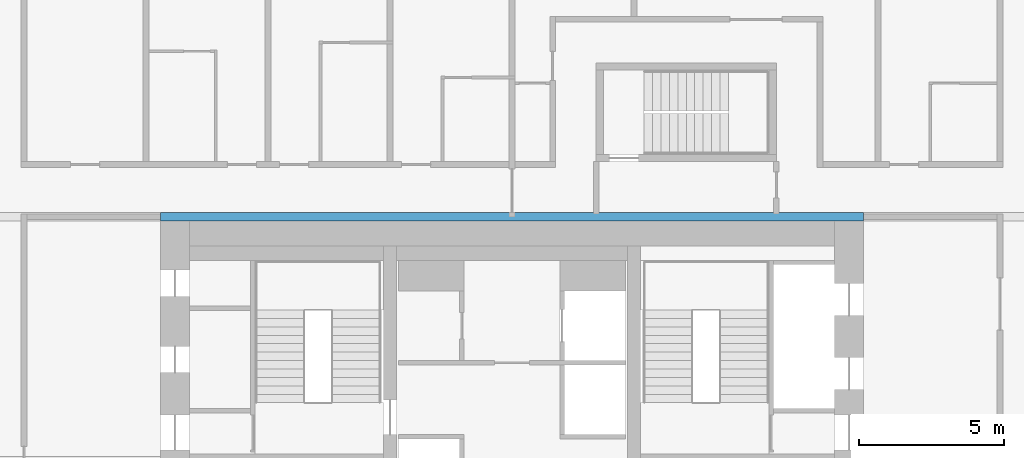
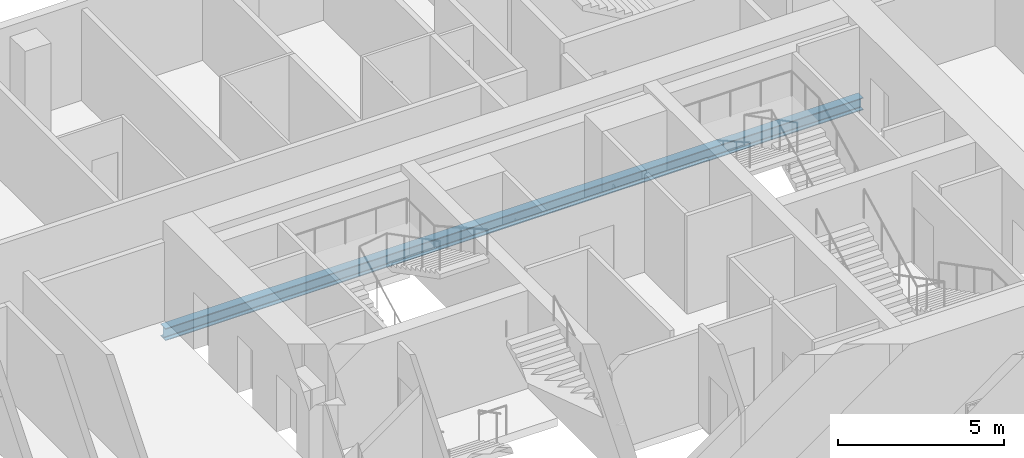
# One storey, part 9 of 23: 1 beam.
"""IFC4 building model written with IfcOpenShell, lengths in metres."""

from ifc_helpers import new_model, si_unit, direction, frame, origin, origin_2d, place, context, subcontext, project, spatial, i_section, extrude, material, material_profile, profile_set, type_object, element, save


model = new_model("IFC4")

# Units and contexts
model_context = context("Model", 3, precision=1e-05, world=origin(), true_north=direction((0.0, 1.0)))
body_context = subcontext(model_context, "Body", "Model", "MODEL_VIEW")
ifc_project = project(units=[si_unit("LENGTHUNIT", "METRE"), si_unit("AREAUNIT", "SQUARE_METRE"), si_unit("VOLUMEUNIT", "CUBIC_METRE"), si_unit("PLANEANGLEUNIT", "RADIAN"), si_unit("MASSUNIT", "GRAM", prefix="KILO")], contexts=[model_context])

# Site, building, storey
site_placement = place(None, origin())
site = spatial("IfcSite", under=ifc_project, at=site_placement, CompositionType="ELEMENT")
building_placement = place(site_placement, origin())
building = spatial("IfcBuilding", under=site, at=building_placement, Name="Marenta Gate Hotel Tower", CompositionType="ELEMENT")
storey_placement = place(building_placement, frame((0.0, 0.0, 104.89990234375)))
storey = spatial("IfcBuildingStorey", under=building, at=storey_placement, Name="L22", CompositionType="ELEMENT", Elevation=104.89990234375)

# Beam
ifc_material = material(Name="Steel S355", Category="steel")
ifc_material_profile = material_profile(ifc_material, i_section(OverallWidth=0.300048828125, OverallDepth=0.449951171875, WebThickness=0.013916015625, FlangeThickness=0.02587890625, FilletRadius=0.027099609375, at=origin_2d()), Name="HEB 450")
ifc_profile_set = profile_set([ifc_material_profile], Name="Steel S355")
beam_type = type_object("IfcBeamType", Name="Girder HEB 450", PredefinedType="BEAM", material=ifc_profile_set)
beam_placement = place(storey_placement, frame((-12.10009765625, 16.800048828125, -0.48486328125), z_axis=(1.0, 0.0, 0.0), x_axis=(0.0, 1.0, 0.0)))
element("IfcBeam", 1, at=beam_placement, inside=storey, type_object=beam_type, Name="L22-GD-26", PredefinedType="BEAM", context=body_context, shape_type="SweptSolid", body=[
    extrude(i_section(OverallWidth=0.300048828125, OverallDepth=0.449951171875, WebThickness=0.013916015625, FlangeThickness=0.02587890625, FilletRadius=0.027099609375, at=origin_2d()), origin(), (0.0, 0.0, 1.0), 24.2001953125),
])

save(model, "model.ifc")
